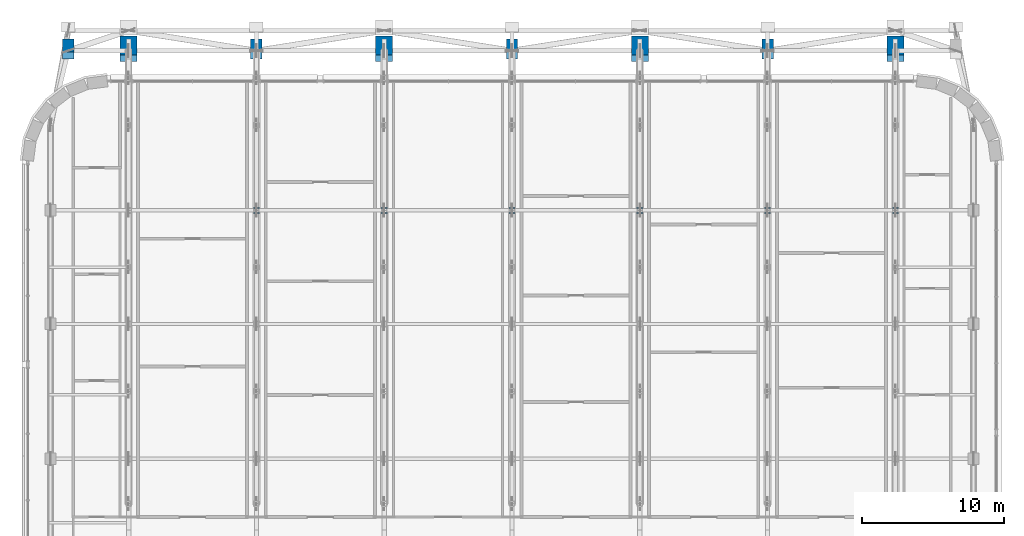
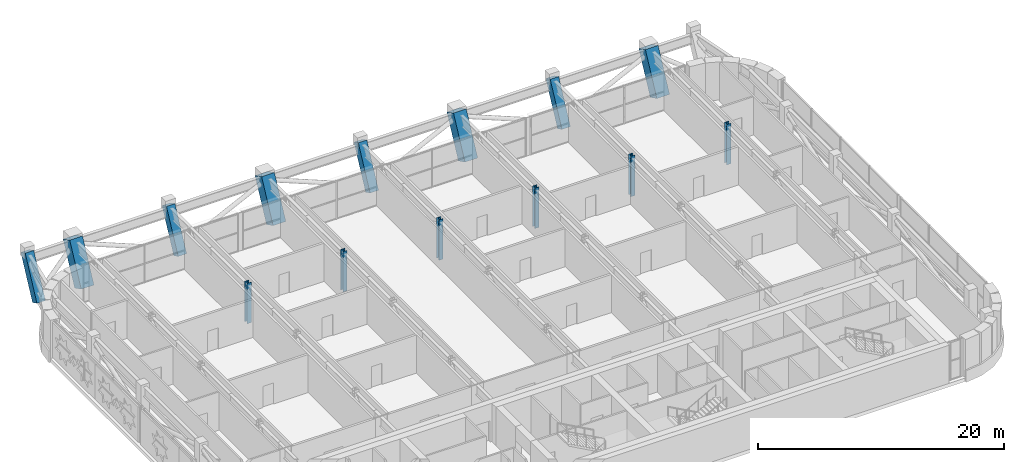
# One storey, part 3 of 28: 14 columns.
"""IFC4 building model written with IfcOpenShell, lengths in metres."""

from ifc_helpers import new_model, si_unit, direction, frame, origin, origin_2d, place, context, subcontext, project, spatial, rectangle, i_section, extrude, clip, halfspace, material, material_profile, profile_set, type_object, element, save


model = new_model("IFC4")

# Units and contexts
model_context = context("Model", 3, precision=1e-05, world=origin(), true_north=direction((0.0, 1.0)))
body_context = subcontext(model_context, "Body", "Model", "MODEL_VIEW")
ifc_project = project(units=[si_unit("LENGTHUNIT", "METRE"), si_unit("AREAUNIT", "SQUARE_METRE"), si_unit("VOLUMEUNIT", "CUBIC_METRE"), si_unit("PLANEANGLEUNIT", "RADIAN"), si_unit("MASSUNIT", "GRAM", prefix="KILO")], contexts=[model_context])

# Site, building, storey
site_placement = place(None, origin())
site = spatial("IfcSite", under=ifc_project, at=site_placement, CompositionType="ELEMENT")
building_placement = place(site_placement, origin())
building = spatial("IfcBuilding", under=site, at=building_placement, Name="Zellij Exchange Tower", CompositionType="ELEMENT")
storey_placement = place(building_placement, frame((0.0, 0.0, 268.5)))
storey = spatial("IfcBuildingStorey", under=building, at=storey_placement, Name="L63", CompositionType="ELEMENT", Elevation=268.5)

# Columns
ifc_material_1 = material(Name="Concrete C50/60", Category="concrete")
ifc_material_profile_1 = material_profile(ifc_material_1, rectangle(XDim=0.800048828125, YDim=0.800048828125, at=origin_2d()), Name="STR-COLUMN RC800x800 C50/60")
ifc_profile_set_1 = profile_set([ifc_material_profile_1], Name="Concrete C50/60")
column_type_1 = type_object("IfcColumnType", Name="STR-COLUMN RC800x800 C50/60", PredefinedType="COLUMN", material=ifc_profile_set_1)
for number, where, z_axis, x_axis, name in (
    (1, (-31.25, 33.0, 0.0), (0.0, 0.4472135955, 0.894427191), (-1.0, 0.0, 0.0), "C15"),
    (2, (-18.0, 33.0, 0.0), (0.0, 0.4472135955, 0.894427191), (-1.0, 0.0, 0.0), "C15"),
    (3, (0.0, 33.0, 0.0), (0.0, 0.4472135955, 0.894427191), (-1.0, 0.0, 0.0), "C15"),
    (4, (18.0, 33.0, 0.0), (0.0, 0.4472135955, 0.894427191), (-1.0, 0.0, 0.0), "C15"),
):
    element("IfcColumn", number, at=place(storey_placement, frame(where, z_axis=z_axis, x_axis=x_axis)), inside=storey, type_object=column_type_1, Name=name, PredefinedType="COLUMN", context=body_context, shape_type="Clipping", body=[
        clip(extrude(rectangle(XDim=0.800048828125, YDim=0.800048828125, at=origin_2d()), origin(), (0.0, 0.0, 1.0), 4.47216796875), halfspace(frame((0.0, 0.0, 4.272216796875)), False)),
    ])
ifc_material_2 = material(Name="Structural steel ASTM A992 Gr 50", Category="steel")
ifc_material_profile_2 = material_profile(ifc_material_2, i_section(OverallWidth=0.398681640625, OverallDepth=0.385986328125, WebThickness=0.02099609375, FlangeThickness=0.033203125, at=origin_2d()), Name="W14x176")
ifc_profile_set_2 = profile_set([ifc_material_profile_2], Name="Structural steel ASTM A992 Gr 50")
column_type_2 = type_object("IfcColumnType", Name="STR-COLUMN W14x176", PredefinedType="COLUMN", material=ifc_profile_set_2)
for number, where, z_axis, x_axis, name in (
    (5, (-18.0, 22.0, 0.0), (0.0, 0.0, 1.0), (1.0, 0.0, 0.0), "C2"),
    (6, (-9.0, 22.0, 0.0), (0.0, 0.0, 1.0), (1.0, 0.0, 0.0), "C2"),
    (7, (0.0, 22.0, 0.0), (0.0, 0.0, 1.0), (1.0, 0.0, 0.0), "C2"),
    (8, (9.0, 22.0, 0.0), (0.0, 0.0, 1.0), (1.0, 0.0, 0.0), "C2"),
    (9, (18.0, 22.0, 0.0), (0.0, 0.0, 1.0), (1.0, 0.0, 0.0), "C2"),
    (10, (27.0, 22.0, 0.0), (0.0, 0.0, 1.0), (1.0, 0.0, 0.0), "C2"),
):
    element("IfcColumn", number, at=place(storey_placement, frame(where, z_axis=z_axis, x_axis=x_axis)), inside=storey, type_object=column_type_2, Name=name, PredefinedType="COLUMN", context=body_context, shape_type="SweptSolid", body=[
        extrude(i_section(OverallWidth=0.398681640625, OverallDepth=0.385986328125, WebThickness=0.02099609375, FlangeThickness=0.033203125, at=origin_2d()), origin(), (0.0, 0.0, 1.0), 4.0),
    ])
ifc_material_profile_3 = material_profile(ifc_material_1, rectangle(XDim=1.199951171875, YDim=1.199951171875, at=origin_2d()), Name="STR-MEGA COLUMN RC1200x1200 C50/60")
ifc_profile_set_3 = profile_set([ifc_material_profile_3], Name="Concrete C50/60")
column_type_3 = type_object("IfcColumnType", Name="STR-MEGA COLUMN RC1200x1200 C50/60", PredefinedType="COLUMN", material=ifc_profile_set_3)
for number, where, z_axis, x_axis, name in (
    (11, (-27.0, 33.0, 0.0), (0.0, 0.4472135955, 0.894427191), (-1.0, 0.0, 0.0), "MC2"),
    (12, (-9.0, 33.0, 0.0), (0.0, 0.4472135955, 0.894427191), (-1.0, 0.0, 0.0), "MC2"),
    (13, (9.0, 33.0, 0.0), (0.0, 0.4472135955, 0.894427191), (-1.0, 0.0, 0.0), "MC2"),
    (14, (27.0, 33.0, 0.0), (0.0, 0.4472135955, 0.894427191), (-1.0, 0.0, 0.0), "MC2"),
):
    element("IfcColumn", number, at=place(storey_placement, frame(where, z_axis=z_axis, x_axis=x_axis)), inside=storey, type_object=column_type_3, Name=name, PredefinedType="COLUMN", context=body_context, shape_type="Clipping", body=[
        clip(extrude(rectangle(XDim=1.199951171875, YDim=1.199951171875, at=origin_2d()), origin(), (0.0, 0.0, 1.0), 4.47216796875), halfspace(frame((0.0, 0.0, 4.172119140625)), False)),
    ])

save(model, "model.ifc")
